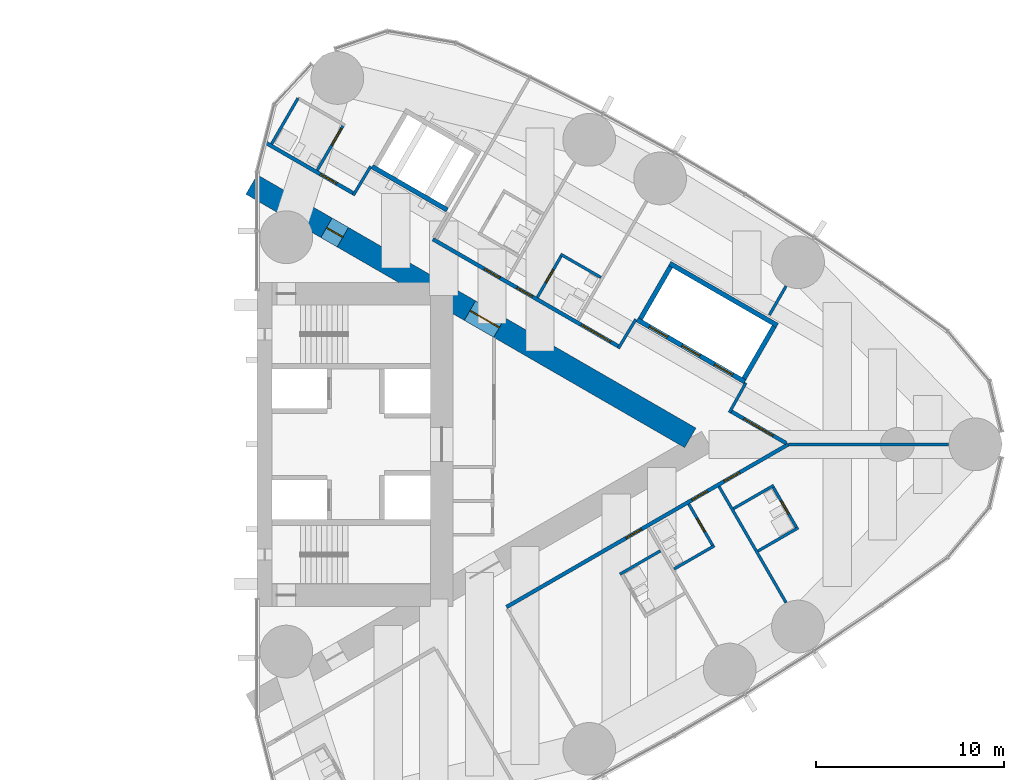
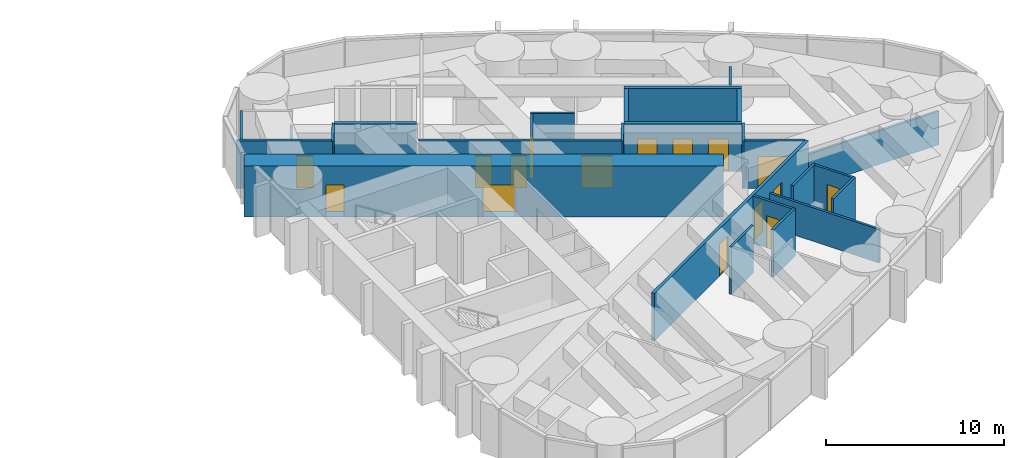
# One storey, part 15 of 19: 26 walls, 17 doors, 17 openings.
"""IFC4 building model written with IfcOpenShell, lengths in metres."""

from ifc_helpers import new_model, si_unit, direction, frame, frame_2d, origin, place, context, subcontext, project, spatial, rectangle, extrude, material, layer, layer_set, type_object, element, fill, save


model = new_model("IFC4")

# Units and contexts
model_context = context("Model", 3, precision=1e-05, world=origin(), true_north=direction((0.0, 1.0)))
body_context = subcontext(model_context, "Body", "Model", "MODEL_VIEW")
ifc_project = project(units=[si_unit("LENGTHUNIT", "METRE"), si_unit("AREAUNIT", "SQUARE_METRE"), si_unit("VOLUMEUNIT", "CUBIC_METRE"), si_unit("PLANEANGLEUNIT", "RADIAN"), si_unit("MASSUNIT", "GRAM", prefix="KILO")], contexts=[model_context])

# Site, building, storey
site_placement = place(None, origin())
site = spatial("IfcSite", under=ifc_project, at=site_placement, CompositionType="ELEMENT")
building_placement = place(site_placement, origin())
building = spatial("IfcBuilding", under=site, at=building_placement, Name="Lancet Gate Hotel", CompositionType="ELEMENT")
storey_placement = place(building_placement, frame((0.0, 0.0, 159.800048828125)))
storey = spatial("IfcBuildingStorey", under=building, at=storey_placement, Name="L42", CompositionType="ELEMENT", Elevation=159.800048828125)

# Walls
ifc_material_1 = material(Name="Moisture resistant board partition")
ifc_layer_1 = layer(ifc_material_1, 0.14990234375)
ifc_layer_set_1 = layer_set([ifc_layer_1], Name="Bathroom wall 150")
wall_type_1 = type_object("IfcWallType", Name="Bathroom wall 150", PredefinedType="PARTITIONING", material=ifc_layer_set_1)
for number, where, z_axis, x_axis, name in (
    (1, (46.766357421875, -6.89111328125, 0.0), (0.0, 0.0, 1.0), (0.86604923931, 0.499958713387, 0.0), "T2 bathroom wall 150 L42"),
    (2, (49.6396484375, -6.617919921875, 0.0), (0.0, 0.0, 1.0), (0.866006523861, 0.500032699561, 0.0), "T2 bathroom wall 150 L42"),
):
    element("IfcWall", number, at=place(storey_placement, frame(where, z_axis=z_axis, x_axis=x_axis)), inside=storey, type_object=wall_type_1, Name=name, PredefinedType="PARTITIONING", context=body_context, shape_type="SweptSolid", body=[
        extrude(rectangle(XDim=2.474853515625, YDim=0.14990234375, at=frame_2d((1.2373046875, 0.0))), origin(), (0.0, 0.0, 1.0), 3.25),
    ])

# Wall, opening, door
wall_1_placement = place(storey_placement, frame((50.418212890625, -3.166259765625, 0.0), z_axis=(0.0, 0.0, 1.0), x_axis=(0.499936506574, -0.866062058628, 0.0)))
wall_1 = element("IfcWall", 3, at=wall_1_placement, inside=storey, type_object=wall_type_1, Name="T2 bathroom wall 150 L42", PredefinedType="PARTITIONING", context=body_context, shape_type="SweptSolid", body=[
    extrude(rectangle(XDim=2.599853515625, YDim=0.14990234375, at=frame_2d((1.2998046875, 0.0))), origin(), (0.0, 0.0, 1.0), 3.25),
])
opening_1_placement = place(wall_1_placement, frame((0.89990234375, 0.0, 0.0)))
opening_1 = element("IfcOpeningElement", 4, at=opening_1_placement, cuts=wall_1, Name="Opening 4256-B", PredefinedType="OPENING", context=body_context, shape_type="SweptSolid", body=[
    extrude(rectangle(XDim=0.800048828125, YDim=2.199951171875, at=frame_2d((0.39990234375, 1.10009765625))), frame((0.0, 0.0849609375, 0.0), z_axis=(0.0, -1.0, 0.0), x_axis=(1.0, 0.0, 0.0)), (0.0, 0.0, 1.0), 0.169921875),
])
ifc_material_2 = material(Name="Timber door set", Category="wood")
door_type_1 = type_object("IfcDoorType", Name="Bathroom door 800", OperationType="SINGLE_SWING_RIGHT", PredefinedType="DOOR", material=ifc_material_2)
door_1_placement = place(opening_1_placement, origin())
door_1 = element("IfcDoor", 5, at=door_1_placement, inside=storey, type_object=door_type_1, Name="4256-B", OperationType="SINGLE_SWING_RIGHT", OverallHeight=2.199951171875, OverallWidth=0.800048828125, PredefinedType="DOOR", context=body_context, shape_type="SweptSolid", body=[
    extrude(rectangle(XDim=0.800048828125, YDim=2.199951171875, at=frame_2d((0.39990234375, 1.10009765625))), frame((0.0, 0.02490234375, 0.0), z_axis=(0.0, -1.0, 0.0), x_axis=(1.0, 0.0, 0.0)), (0.0, 0.0, 1.0), 0.050048828125),
])
fill(opening_1, door_1)

# Wall
wall_2_placement = place(storey_placement, frame((54.09033203125, -5.6650390625, 0.0), z_axis=(0.0, 0.0, 1.0), x_axis=(0.866006523861, 0.500032699561, 0.0)))
element("IfcWall", 6, at=wall_2_placement, inside=storey, type_object=wall_type_1, Name="T2 bathroom wall 150 L42", PredefinedType="PARTITIONING", context=body_context, shape_type="SweptSolid", body=[
    extrude(rectangle(XDim=2.474853515625, YDim=0.14990234375, at=frame_2d((1.2373046875, 0.0))), origin(), (0.0, 0.0, 1.0), 3.25),
])

# Wall, opening, door
wall_3_placement = place(storey_placement, frame((54.86865234375, -2.21337890625, 0.0), z_axis=(0.0, 0.0, 1.0), x_axis=(0.500047596559, -0.865997922154, 0.0)))
wall_3 = element("IfcWall", 7, at=wall_3_placement, inside=storey, type_object=wall_type_1, Name="T2 bathroom wall 150 L42", PredefinedType="PARTITIONING", context=body_context, shape_type="SweptSolid", body=[
    extrude(rectangle(XDim=2.599853515625, YDim=0.14990234375, at=frame_2d((1.2998046875, 0.0))), origin(), (0.0, 0.0, 1.0), 3.25),
])
opening_2_placement = place(wall_3_placement, frame((0.89990234375, 0.0, 0.0)))
opening_2 = element("IfcOpeningElement", 8, at=opening_2_placement, cuts=wall_3, Name="Opening 4257-B", PredefinedType="OPENING", context=body_context, shape_type="SweptSolid", body=[
    extrude(rectangle(XDim=0.800048828125, YDim=2.199951171875, at=frame_2d((0.39990234375, 1.10009765625))), frame((0.0, 0.0849609375, 0.0), z_axis=(0.0, -1.0, 0.0), x_axis=(1.0, 0.0, 0.0)), (0.0, 0.0, 1.0), 0.169921875),
])
door_2_placement = place(opening_2_placement, origin())
door_2 = element("IfcDoor", 9, at=door_2_placement, inside=storey, type_object=door_type_1, Name="4257-B", OperationType="SINGLE_SWING_RIGHT", OverallHeight=2.199951171875, OverallWidth=0.800048828125, PredefinedType="DOOR", context=body_context, shape_type="SweptSolid", body=[
    extrude(rectangle(XDim=0.800048828125, YDim=2.199951171875, at=frame_2d((0.39990234375, 1.10009765625))), frame((0.0, 0.02490234375, 0.0), z_axis=(0.0, -1.0, 0.0), x_axis=(1.0, 0.0, 0.0)), (0.0, 0.0, 1.0), 0.050048828125),
])
fill(opening_2, door_2)

# Walls
wall_4_placement = place(storey_placement, frame((52.790283203125, -3.413330078125, 0.0), z_axis=(0.0, 0.0, 1.0), x_axis=(0.866006523861, 0.500032699561, 0.0)))
element("IfcWall", 10, at=wall_4_placement, inside=storey, type_object=wall_type_1, Name="T2 bathroom wall 150 L42", PredefinedType="PARTITIONING", context=body_context, shape_type="SweptSolid", body=[
    extrude(rectangle(XDim=2.474853515625, YDim=0.14990234375, at=frame_2d((1.2373046875, 0.0))), origin(), (0.0, 0.0, 1.0), 3.25),
])
wall_5_placement = place(storey_placement, frame((43.613037109375, 10.097412109375, 0.0), z_axis=(0.0, 0.0, 1.0), x_axis=(0.866031185235, -0.4999899861, 0.0)))
element("IfcWall", 11, at=wall_5_placement, inside=storey, type_object=wall_type_1, Name="T2 bathroom wall 150 L42", PredefinedType="PARTITIONING", context=body_context, shape_type="SweptSolid", body=[
    extrude(rectangle(XDim=2.47509765625, YDim=0.14990234375, at=frame_2d((1.237548828125, 0.0))), origin(), (0.0, 0.0, 1.0), 3.25),
])

# Wall, opening, door
wall_6_placement = place(storey_placement, frame((42.3779296875, 7.80810546875, 0.0), z_axis=(0.0, 0.0, 1.0), x_axis=(0.500006934395, 0.866021400173, 0.0)))
wall_6 = element("IfcWall", 12, at=wall_6_placement, inside=storey, type_object=wall_type_1, Name="T2 bathroom wall 150 L42", PredefinedType="PARTITIONING", context=body_context, shape_type="SweptSolid", body=[
    extrude(rectangle(XDim=2.60009765625, YDim=0.14990234375, at=frame_2d((1.300048828125, 0.0))), origin(), (0.0, 0.0, 1.0), 3.25),
])
opening_3_placement = place(wall_6_placement, frame((0.89990234375, 0.0, 0.0)))
opening_3 = element("IfcOpeningElement", 13, at=opening_3_placement, cuts=wall_6, Name="Opening 4261-B", PredefinedType="OPENING", context=body_context, shape_type="SweptSolid", body=[
    extrude(rectangle(XDim=0.800048828125, YDim=2.199951171875, at=frame_2d((0.39990234375, 1.10009765625))), frame((0.0, 0.0849609375, 0.0), z_axis=(0.0, -1.0, 0.0), x_axis=(1.0, 0.0, 0.0)), (0.0, 0.0, 1.0), 0.169921875),
])
door_3_placement = place(opening_3_placement, origin())
door_3 = element("IfcDoor", 14, at=door_3_placement, inside=storey, type_object=door_type_1, Name="4261-B", OperationType="SINGLE_SWING_RIGHT", OverallHeight=2.199951171875, OverallWidth=0.800048828125, PredefinedType="DOOR", context=body_context, shape_type="SweptSolid", body=[
    extrude(rectangle(XDim=0.800048828125, YDim=2.199951171875, at=frame_2d((0.39990234375, 1.10009765625))), frame((0.0, 0.02490234375, 0.0), z_axis=(0.0, -1.0, 0.0), x_axis=(1.0, 0.0, 0.0)), (0.0, 0.0, 1.0), 0.050048828125),
])
fill(opening_3, door_3)

wall_7_placement = place(storey_placement, frame((30.694091796875, 14.553955078125, 0.0), z_axis=(0.0, 0.0, 1.0), x_axis=(0.500049511043, 0.865996816683, 0.0)))
wall_7 = element("IfcWall", 15, at=wall_7_placement, inside=storey, type_object=wall_type_1, Name="T2 bathroom wall 150 L42", PredefinedType="PARTITIONING", context=body_context, shape_type="SweptSolid", body=[
    extrude(rectangle(XDim=2.800048828125, YDim=0.14990234375, at=frame_2d((1.39990234375, 0.0))), origin(), (0.0, 0.0, 1.0), 2.300048828125),
])
opening_4_placement = place(wall_7_placement, frame((1.550048828125, 0.0, 0.0)))
opening_4 = element("IfcOpeningElement", 16, at=opening_4_placement, cuts=wall_7, Name="Opening 4263-B", PredefinedType="OPENING", context=body_context, shape_type="SweptSolid", body=[
    extrude(rectangle(XDim=1.0, YDim=2.199951171875, at=frame_2d((0.5, 1.10009765625))), frame((0.0, 0.0849609375, 0.0), z_axis=(0.0, -1.0, 0.0), x_axis=(1.0, 0.0, 0.0)), (0.0, 0.0, 1.0), 0.169921875),
])
ifc_material_3 = material(Name="Timber door set", Category="wood")
door_type_2 = type_object("IfcDoorType", Name="Accessible en-suite door 1000", OperationType="SINGLE_SWING_RIGHT", PredefinedType="DOOR", material=ifc_material_3)
door_4_placement = place(opening_4_placement, origin())
door_4 = element("IfcDoor", 17, at=door_4_placement, inside=storey, type_object=door_type_2, Name="4263-B", OperationType="SINGLE_SWING_RIGHT", OverallHeight=2.199951171875, OverallWidth=1.0, PredefinedType="DOOR", context=body_context, shape_type="SweptSolid", body=[
    extrude(rectangle(XDim=1.0, YDim=2.199951171875, at=frame_2d((0.5, 1.10009765625))), frame((0.0, 0.02490234375, 0.0), z_axis=(0.0, -1.0, 0.0), x_axis=(1.0, 0.0, 0.0)), (0.0, 0.0, 1.0), 0.050048828125),
])
fill(opening_4, door_4)

# Wall
wall_8_placement = place(storey_placement, frame((28.269287109375, 15.953857421875, 0.0), z_axis=(0.0, 0.0, 1.0), x_axis=(0.49998411664, 0.866034573852, 0.0)))
element("IfcWall", 18, at=wall_8_placement, inside=storey, type_object=wall_type_1, Name="T2 bathroom wall 150 L42", PredefinedType="PARTITIONING", context=body_context, shape_type="SweptSolid", body=[
    extrude(rectangle(XDim=2.7998046875, YDim=0.14990234375, at=frame_2d((1.39990234375, 0.0))), origin(), (0.0, 0.0, 1.0), 3.25),
])

# Wall, openings, doors
ifc_material_4 = material(Name="Concrete C70/85", Category="concrete")
ifc_layer_2 = layer(ifc_material_4, 1.199951171875)
ifc_layer_set_2 = layer_set([ifc_layer_2], Name="Buttress wall 1200")
wall_type_2 = type_object("IfcWallType", Name="Buttress wall 1200", PredefinedType="SHEAR", material=ifc_layer_set_2)
wall_9_placement = place(storey_placement, frame((27.199951171875, 13.800048828125, 0.0), z_axis=(0.0, 0.0, 1.0), x_axis=(0.866024515034, -0.500001539357, 0.0)))
wall_9 = element("IfcWall", 19, at=wall_9_placement, inside=storey, type_object=wall_type_2, Name="T2 buttress wall N L42", PredefinedType="SHEAR", context=body_context, shape_type="SweptSolid", body=[
    extrude(rectangle(XDim=26.9072265625, YDim=1.199951171875, at=frame_2d((13.45361328125, 0.0))), origin(), (0.0, 0.0, 1.0), 3.5),
])
opening_5_placement = place(wall_9_placement, frame((4.60009765625, 0.0, 0.0)))
opening_5 = element("IfcOpeningElement", 20, at=opening_5_placement, cuts=wall_9, Name="Opening T2-L42-LN", PredefinedType="OPENING", context=body_context, shape_type="SweptSolid", body=[
    extrude(rectangle(XDim=1.0, YDim=2.199951171875, at=frame_2d((0.5, 1.10009765625))), frame((0.0, 0.60986328125, 0.0), z_axis=(0.0, -1.0, 0.0), x_axis=(1.0, 0.0, 0.0)), (0.0, 0.0, 1.0), 1.219970703125),
])
opening_6_placement = place(wall_9_placement, frame((13.39453125, 0.0, 0.0)))
opening_6 = element("IfcOpeningElement", 21, at=opening_6_placement, cuts=wall_9, Name="Opening T2-L42-LHN", PredefinedType="OPENING", context=body_context, shape_type="SweptSolid", body=[
    extrude(rectangle(XDim=1.800048828125, YDim=2.199951171875, at=frame_2d((0.89990234375, 1.10009765625))), frame((0.0, 0.60986328125, 0.0), z_axis=(0.0, -1.0, 0.0), x_axis=(1.0, 0.0, 0.0)), (0.0, 0.0, 1.0), 1.219970703125),
])
ifc_material_5 = material(Name="Timber door set", Category="wood")
door_type_3 = type_object("IfcDoorType", Name="Lobby double door 1800", OperationType="DOUBLE_DOOR_SINGLE_SWING", PredefinedType="DOOR", material=ifc_material_5)
door_5_placement = place(opening_6_placement, origin())
door_5 = element("IfcDoor", 22, at=door_5_placement, inside=storey, type_object=door_type_3, Name="T2-L42-LHN", OperationType="DOUBLE_DOOR_SINGLE_SWING", OverallHeight=2.199951171875, OverallWidth=1.800048828125, PredefinedType="DOOR", context=body_context, shape_type="SweptSolid", body=[
    extrude(rectangle(XDim=1.800048828125, YDim=2.199951171875, at=frame_2d((0.89990234375, 1.10009765625))), frame((0.0, 0.02490234375, 0.0), z_axis=(0.0, -1.0, 0.0), x_axis=(1.0, 0.0, 0.0)), (0.0, 0.0, 1.0), 0.050048828125),
])
fill(opening_6, door_5)
ifc_material_6 = material(Name="Timber door set", Category="wood")
door_type_4 = type_object("IfcDoorType", Name="Stair lobby door 1000", OperationType="SINGLE_SWING_LEFT", PredefinedType="DOOR", material=ifc_material_6)
door_6_placement = place(opening_5_placement, origin())
door_6 = element("IfcDoor", 23, at=door_6_placement, inside=storey, type_object=door_type_4, Name="T2-L42-LN", OperationType="SINGLE_SWING_LEFT", OverallHeight=2.199951171875, OverallWidth=1.0, PredefinedType="DOOR", context=body_context, shape_type="SweptSolid", body=[
    extrude(rectangle(XDim=1.0, YDim=2.199951171875, at=frame_2d((0.5, 1.10009765625))), frame((0.0, 0.02490234375, 0.0), z_axis=(0.0, -1.0, 0.0), x_axis=(1.0, 0.0, 0.0)), (0.0, 0.0, 1.0), 0.050048828125),
])
fill(opening_5, door_6)

# Wall, opening, door
ifc_material_7 = material(Name="Gypsum board partition")
ifc_layer_3 = layer(ifc_material_7, 0.199951171875)
ifc_layer_set_3 = layer_set([ifc_layer_3], Name="Corridor wall 200")
wall_type_3 = type_object("IfcWallType", Name="Corridor wall 200", PredefinedType="PARTITIONING", material=ifc_layer_set_3)
wall_10_placement = place(storey_placement, frame((27.95947265625, 16.017333984375, 0.0), z_axis=(0.0, 0.0, 1.0), x_axis=(0.866028444157, -0.499994733882, 0.0)))
wall_10 = element("IfcWall", 24, at=wall_10_placement, inside=storey, type_object=wall_type_3, Name="T2 corridor wall 200 L42", PredefinedType="PARTITIONING", context=body_context, shape_type="SweptSolid", body=[
    extrude(rectangle(XDim=5.4072265625, YDim=0.199951171875, at=frame_2d((2.70361328125, 0.0))), origin(), (0.0, 0.0, 1.0), 3.25),
])
opening_7_placement = place(wall_10_placement, frame((3.35009765625, 0.0, 0.0)))
opening_7 = element("IfcOpeningElement", 25, at=opening_7_placement, cuts=wall_10, Name="Opening 4263-E", PredefinedType="OPENING", context=body_context, shape_type="SweptSolid", body=[
    extrude(rectangle(XDim=1.0, YDim=2.199951171875, at=frame_2d((0.5, 1.10009765625))), frame((0.0, 0.10986328125, 0.0), z_axis=(0.0, -1.0, 0.0), x_axis=(1.0, 0.0, 0.0)), (0.0, 0.0, 1.0), 0.219970703125),
])
ifc_material_8 = material(Name="Timber door set", Category="wood")
door_type_5 = type_object("IfcDoorType", Name="Accessible guest room door 1000", OperationType="SINGLE_SWING_LEFT", PredefinedType="DOOR", material=ifc_material_8)
door_7_placement = place(opening_7_placement, origin())
door_7 = element("IfcDoor", 26, at=door_7_placement, inside=storey, type_object=door_type_5, Name="4263-E", OperationType="SINGLE_SWING_LEFT", OverallHeight=2.199951171875, OverallWidth=1.0, PredefinedType="DOOR", context=body_context, shape_type="SweptSolid", body=[
    extrude(rectangle(XDim=1.0, YDim=2.199951171875, at=frame_2d((0.5, 1.10009765625))), frame((0.0, 0.02490234375, 0.0), z_axis=(0.0, -1.0, 0.0), x_axis=(1.0, 0.0, 0.0)), (0.0, 0.0, 1.0), 0.050048828125),
])
fill(opening_7, door_7)

# Wall, openings, doors
wall_11_placement = place(storey_placement, frame((36.833984375, 10.8935546875, 0.0), z_axis=(0.0, 0.0, 1.0), x_axis=(0.866031655879, -0.499989170898, 0.0)))
wall_11 = element("IfcWall", 27, at=wall_11_placement, inside=storey, type_object=wall_type_3, Name="T2 corridor wall 200 L42", PredefinedType="PARTITIONING", context=body_context, shape_type="SweptSolid", body=[
    extrude(rectangle(XDim=11.409912109375, YDim=0.199951171875, at=frame_2d((5.705078125, 0.0))), origin(), (0.0, 0.0, 1.0), 3.25),
])
opening_8_placement = place(wall_11_placement, frame((5.143798828125, 0.0, 0.0)))
opening_8 = element("IfcOpeningElement", 28, at=opening_8_placement, cuts=wall_11, Name="Opening 4261-E", PredefinedType="OPENING", context=body_context, shape_type="SweptSolid", body=[
    extrude(rectangle(XDim=0.949951171875, YDim=2.199951171875, at=frame_2d((0.47509765625, 1.10009765625))), frame((0.0, 0.10986328125, 0.0), z_axis=(0.0, -1.0, 0.0), x_axis=(1.0, 0.0, 0.0)), (0.0, 0.0, 1.0), 0.219970703125),
])
opening_9_placement = place(wall_11_placement, frame((3.161376953125, 0.0, 0.0)))
opening_9 = element("IfcOpeningElement", 29, at=opening_9_placement, cuts=wall_11, Name="Opening 4262-E", PredefinedType="OPENING", context=body_context, shape_type="SweptSolid", body=[
    extrude(rectangle(XDim=0.949951171875, YDim=2.199951171875, at=frame_2d((0.47509765625, 1.10009765625))), frame((0.0, 0.10986328125, 0.0), z_axis=(0.0, -1.0, 0.0), x_axis=(1.0, 0.0, 0.0)), (0.0, 0.0, 1.0), 0.219970703125),
])
opening_10_placement = place(wall_11_placement, frame((9.101806640625, 0.0, 0.0)))
opening_10 = element("IfcOpeningElement", 30, at=opening_10_placement, cuts=wall_11, Name="Opening T2-L42-LO2", PredefinedType="OPENING", context=body_context, shape_type="SweptSolid", body=[
    extrude(rectangle(XDim=1.800048828125, YDim=2.199951171875, at=frame_2d((0.89990234375, 1.10009765625))), frame((0.0, 0.10986328125, 0.0), z_axis=(0.0, -1.0, 0.0), x_axis=(1.0, 0.0, 0.0)), (0.0, 0.0, 1.0), 0.219970703125),
])
ifc_material_9 = material(Name="Timber door set", Category="wood")
door_type_6 = type_object("IfcDoorType", Name="Double door 1800", OperationType="DOUBLE_DOOR_SINGLE_SWING", PredefinedType="DOOR", material=ifc_material_9)
door_8_placement = place(opening_10_placement, origin())
door_8 = element("IfcDoor", 31, at=door_8_placement, inside=storey, type_object=door_type_6, Name="T2-L42-LO2", OperationType="DOUBLE_DOOR_SINGLE_SWING", OverallHeight=2.199951171875, OverallWidth=1.800048828125, PredefinedType="DOOR", context=body_context, shape_type="SweptSolid", body=[
    extrude(rectangle(XDim=1.800048828125, YDim=2.199951171875, at=frame_2d((0.89990234375, 1.10009765625))), frame((0.0, 0.02490234375, 0.0), z_axis=(0.0, -1.0, 0.0), x_axis=(1.0, 0.0, 0.0)), (0.0, 0.0, 1.0), 0.050048828125),
])
fill(opening_10, door_8)
ifc_material_10 = material(Name="Timber door set", Category="wood")
door_type_7 = type_object("IfcDoorType", Name="Guest room entry door 950", OperationType="SINGLE_SWING_LEFT", PredefinedType="DOOR", material=ifc_material_10)
door_9_placement = place(opening_8_placement, origin())
door_9 = element("IfcDoor", 32, at=door_9_placement, inside=storey, type_object=door_type_7, Name="4261-E", OperationType="SINGLE_SWING_LEFT", OverallHeight=2.199951171875, OverallWidth=0.949951171875, PredefinedType="DOOR", context=body_context, shape_type="SweptSolid", body=[
    extrude(rectangle(XDim=0.949951171875, YDim=2.199951171875, at=frame_2d((0.47509765625, 1.10009765625))), frame((0.0, 0.02490234375, 0.0), z_axis=(0.0, -1.0, 0.0), x_axis=(1.0, 0.0, 0.0)), (0.0, 0.0, 1.0), 0.050048828125),
])
fill(opening_8, door_9)
door_10_placement = place(opening_9_placement, origin())
door_10 = element("IfcDoor", 33, at=door_10_placement, inside=storey, type_object=door_type_7, Name="4262-E", OperationType="SINGLE_SWING_LEFT", OverallHeight=2.199951171875, OverallWidth=0.949951171875, PredefinedType="DOOR", context=body_context, shape_type="SweptSolid", body=[
    extrude(rectangle(XDim=0.949951171875, YDim=2.199951171875, at=frame_2d((0.47509765625, 1.10009765625))), frame((0.0, 0.02490234375, 0.0), z_axis=(0.0, -1.0, 0.0), x_axis=(1.0, 0.0, 0.0)), (0.0, 0.0, 1.0), 0.050048828125),
])
fill(opening_9, door_10)

# Wall, opening, door
wall_12_placement = place(storey_placement, frame((52.63916015625, 1.7685546875, 0.0), z_axis=(0.0, 0.0, 1.0), x_axis=(0.866027340901, -0.4999966448, 0.0)))
wall_12 = element("IfcWall", 34, at=wall_12_placement, inside=storey, type_object=wall_type_3, Name="T2 corridor wall 200 L42", PredefinedType="PARTITIONING", context=body_context, shape_type="SweptSolid", body=[
    extrude(rectangle(XDim=3.4169921875, YDim=0.199951171875, at=frame_2d((1.70849609375, 0.0))), origin(), (0.0, 0.0, 1.0), 3.25),
])
opening_11_placement = place(wall_12_placement, frame((0.80859375, 0.0, 0.0)))
opening_11 = element("IfcOpeningElement", 35, at=opening_11_placement, cuts=wall_12, Name="Opening T2-L42-LO1", PredefinedType="OPENING", context=body_context, shape_type="SweptSolid", body=[
    extrude(rectangle(XDim=1.800048828125, YDim=2.199951171875, at=frame_2d((0.89990234375, 1.10009765625))), frame((0.0, 0.10986328125, 0.0), z_axis=(0.0, -1.0, 0.0), x_axis=(1.0, 0.0, 0.0)), (0.0, 0.0, 1.0), 0.219970703125),
])
door_11_placement = place(opening_11_placement, origin())
door_11 = element("IfcDoor", 36, at=door_11_placement, inside=storey, type_object=door_type_6, Name="T2-L42-LO1", OperationType="DOUBLE_DOOR_SINGLE_SWING", OverallHeight=2.199951171875, OverallWidth=1.800048828125, PredefinedType="DOOR", context=body_context, shape_type="SweptSolid", body=[
    extrude(rectangle(XDim=1.800048828125, YDim=2.199951171875, at=frame_2d((0.89990234375, 1.10009765625))), frame((0.0, 0.02490234375, 0.0), z_axis=(0.0, -1.0, 0.0), x_axis=(1.0, 0.0, 0.0)), (0.0, 0.0, 1.0), 0.050048828125),
])
fill(opening_11, door_11)

# Wall, openings, doors
wall_13_placement = place(storey_placement, frame((40.740966796875, -8.637939453125, 0.0), z_axis=(0.0, 0.0, 1.0), x_axis=(0.866022967338, 0.500004220025, 0.0)))
wall_13 = element("IfcWall", 37, at=wall_13_placement, inside=storey, type_object=wall_type_3, Name="T2 corridor wall 200 L42", PredefinedType="PARTITIONING", context=body_context, shape_type="SweptSolid", body=[
    extrude(rectangle(XDim=17.275634765625, YDim=0.199951171875, at=frame_2d((8.6376953125, 0.0))), origin(), (0.0, 0.0, 1.0), 3.25),
])
opening_12_placement = place(wall_13_placement, frame((7.31640625, 0.0, 0.0)))
opening_12 = element("IfcOpeningElement", 38, at=opening_12_placement, cuts=wall_13, Name="Opening 4254-E", PredefinedType="OPENING", context=body_context, shape_type="SweptSolid", body=[
    extrude(rectangle(XDim=0.949951171875, YDim=2.199951171875, at=frame_2d((0.47509765625, 1.10009765625))), frame((0.0, 0.10986328125, 0.0), z_axis=(0.0, -1.0, 0.0), x_axis=(1.0, 0.0, 0.0)), (0.0, 0.0, 1.0), 0.219970703125),
])
opening_13_placement = place(wall_13_placement, frame((11.366455078125, 0.0, 0.0)))
opening_13 = element("IfcOpeningElement", 39, at=opening_13_placement, cuts=wall_13, Name="Opening 4256-E", PredefinedType="OPENING", context=body_context, shape_type="SweptSolid", body=[
    extrude(rectangle(XDim=0.949951171875, YDim=2.199951171875, at=frame_2d((0.47509765625, 1.10009765625))), frame((0.0, 0.10986328125, 0.0), z_axis=(0.0, -1.0, 0.0), x_axis=(1.0, 0.0, 0.0)), (0.0, 0.0, 1.0), 0.219970703125),
])
opening_14_placement = place(wall_13_placement, frame((13.34716796875, 0.0, 0.0)))
opening_14 = element("IfcOpeningElement", 40, at=opening_14_placement, cuts=wall_13, Name="Opening 4257-E", PredefinedType="OPENING", context=body_context, shape_type="SweptSolid", body=[
    extrude(rectangle(XDim=0.949951171875, YDim=2.199951171875, at=frame_2d((0.47509765625, 1.10009765625))), frame((0.0, 0.10986328125, 0.0), z_axis=(0.0, -1.0, 0.0), x_axis=(1.0, 0.0, 0.0)), (0.0, 0.0, 1.0), 0.219970703125),
])
door_12_placement = place(opening_12_placement, origin())
door_12 = element("IfcDoor", 41, at=door_12_placement, inside=storey, type_object=door_type_7, Name="4254-E", OperationType="SINGLE_SWING_LEFT", OverallHeight=2.199951171875, OverallWidth=0.949951171875, PredefinedType="DOOR", context=body_context, shape_type="SweptSolid", body=[
    extrude(rectangle(XDim=0.949951171875, YDim=2.199951171875, at=frame_2d((0.47509765625, 1.10009765625))), frame((0.0, 0.02490234375, 0.0), z_axis=(0.0, -1.0, 0.0), x_axis=(1.0, 0.0, 0.0)), (0.0, 0.0, 1.0), 0.050048828125),
])
fill(opening_12, door_12)
door_13_placement = place(opening_13_placement, origin())
door_13 = element("IfcDoor", 42, at=door_13_placement, inside=storey, type_object=door_type_7, Name="4256-E", OperationType="SINGLE_SWING_LEFT", OverallHeight=2.199951171875, OverallWidth=0.949951171875, PredefinedType="DOOR", context=body_context, shape_type="SweptSolid", body=[
    extrude(rectangle(XDim=0.949951171875, YDim=2.199951171875, at=frame_2d((0.47509765625, 1.10009765625))), frame((0.0, 0.02490234375, 0.0), z_axis=(0.0, -1.0, 0.0), x_axis=(1.0, 0.0, 0.0)), (0.0, 0.0, 1.0), 0.050048828125),
])
fill(opening_13, door_13)
door_14_placement = place(opening_14_placement, origin())
door_14 = element("IfcDoor", 43, at=door_14_placement, inside=storey, type_object=door_type_7, Name="4257-E", OperationType="SINGLE_SWING_LEFT", OverallHeight=2.199951171875, OverallWidth=0.949951171875, PredefinedType="DOOR", context=body_context, shape_type="SweptSolid", body=[
    extrude(rectangle(XDim=0.949951171875, YDim=2.199951171875, at=frame_2d((0.47509765625, 1.10009765625))), frame((0.0, 0.02490234375, 0.0), z_axis=(0.0, -1.0, 0.0), x_axis=(1.0, 0.0, 0.0)), (0.0, 0.0, 1.0), 0.050048828125),
])
fill(opening_14, door_14)

# Wall
ifc_material_11 = material(Name="Gypsum board partition")
ifc_layer_4 = layer(ifc_material_11, 0.25)
ifc_layer_set_4 = layer_set([ifc_layer_4], Name="Lift shaft partition 250")
wall_type_4 = type_object("IfcWallType", Name="Lift shaft partition 250", PredefinedType="PARTITIONING", material=ifc_layer_set_4)
wall_14_placement = place(storey_placement, frame((33.6083984375, 14.747314453125, 0.0), z_axis=(0.0, 0.0, 1.0), x_axis=(0.866043305498, -0.49996899204, 0.0)))
element("IfcWall", 44, at=wall_14_placement, inside=storey, type_object=wall_type_4, Name="T2 lift shaft wall EX L42", PredefinedType="PARTITIONING", context=body_context, shape_type="SweptSolid", body=[
    extrude(rectangle(XDim=4.600341796875, YDim=0.25, at=frame_2d((2.30029296875, 0.0))), origin(), (0.0, 0.0, 1.0), 3.25),
])

# Wall, openings, doors
wall_15_placement = place(storey_placement, frame((47.681396484375, 6.622314453125, 0.0), z_axis=(0.0, 0.0, 1.0), x_axis=(0.86603344179, -0.499986077507, 0.0)))
wall_15 = element("IfcWall", 45, at=wall_15_placement, inside=storey, type_object=wall_type_4, Name="T2 lift shaft wall HL L42", PredefinedType="PARTITIONING", context=body_context, shape_type="SweptSolid", body=[
    extrude(rectangle(XDim=6.600341796875, YDim=0.25, at=frame_2d((3.30029296875, 0.0))), origin(), (0.0, 0.0, 1.0), 3.25),
])
opening_15_placement = place(wall_15_placement, frame((0.75, 0.0, 0.0)))
opening_15 = element("IfcOpeningElement", 46, at=opening_15_placement, cuts=wall_15, Name="Opening T2-HL1-L42", PredefinedType="OPENING", context=body_context, shape_type="SweptSolid", body=[
    extrude(rectangle(XDim=1.10009765625, YDim=2.199951171875, at=frame_2d((0.550048828125, 1.10009765625))), frame((0.0, 0.135009765625, 0.0), z_axis=(0.0, -1.0, 0.0), x_axis=(1.0, 0.0, 0.0)), (0.0, 0.0, 1.0), 0.27001953125),
])
opening_16_placement = place(wall_15_placement, frame((2.75, 0.0, 0.0)))
opening_16 = element("IfcOpeningElement", 47, at=opening_16_placement, cuts=wall_15, Name="Opening T2-HL2-L42", PredefinedType="OPENING", context=body_context, shape_type="SweptSolid", body=[
    extrude(rectangle(XDim=1.10009765625, YDim=2.199951171875, at=frame_2d((0.550048828125, 1.10009765625))), frame((0.0, 0.135009765625, 0.0), z_axis=(0.0, -1.0, 0.0), x_axis=(1.0, 0.0, 0.0)), (0.0, 0.0, 1.0), 0.27001953125),
])
opening_17_placement = place(wall_15_placement, frame((4.75, 0.0, 0.0)))
opening_17 = element("IfcOpeningElement", 48, at=opening_17_placement, cuts=wall_15, Name="Opening T2-HL3-L42", PredefinedType="OPENING", context=body_context, shape_type="SweptSolid", body=[
    extrude(rectangle(XDim=1.10009765625, YDim=2.199951171875, at=frame_2d((0.550048828125, 1.10009765625))), frame((0.0, 0.135009765625, 0.0), z_axis=(0.0, -1.0, 0.0), x_axis=(1.0, 0.0, 0.0)), (0.0, 0.0, 1.0), 0.27001953125),
])
ifc_material_12 = material(Name="Steel door set", Category="steel")
door_type_8 = type_object("IfcDoorType", Name="Lift landing door 1100", OperationType="DOUBLE_DOOR_SLIDING", PredefinedType="USERDEFINED", material=ifc_material_12)
door_15_placement = place(opening_15_placement, origin())
door_15 = element("IfcDoor", 49, at=door_15_placement, inside=storey, type_object=door_type_8, Name="T2-HL1-L42", ObjectType="LIFT LANDING DOOR", OperationType="DOUBLE_DOOR_SLIDING", OverallHeight=2.199951171875, OverallWidth=1.10009765625, PredefinedType="USERDEFINED", context=body_context, shape_type="SweptSolid", body=[
    extrude(rectangle(XDim=1.10009765625, YDim=2.199951171875, at=frame_2d((0.550048828125, 1.10009765625))), frame((0.0, 0.02490234375, 0.0), z_axis=(0.0, -1.0, 0.0), x_axis=(1.0, 0.0, 0.0)), (0.0, 0.0, 1.0), 0.050048828125),
])
fill(opening_15, door_15)
door_16_placement = place(opening_16_placement, origin())
door_16 = element("IfcDoor", 50, at=door_16_placement, inside=storey, type_object=door_type_8, Name="T2-HL2-L42", ObjectType="LIFT LANDING DOOR", OperationType="DOUBLE_DOOR_SLIDING", OverallHeight=2.199951171875, OverallWidth=1.10009765625, PredefinedType="USERDEFINED", context=body_context, shape_type="SweptSolid", body=[
    extrude(rectangle(XDim=1.10009765625, YDim=2.199951171875, at=frame_2d((0.550048828125, 1.10009765625))), frame((0.0, 0.02490234375, 0.0), z_axis=(0.0, -1.0, 0.0), x_axis=(1.0, 0.0, 0.0)), (0.0, 0.0, 1.0), 0.050048828125),
])
fill(opening_16, door_16)
door_17_placement = place(opening_17_placement, origin())
door_17 = element("IfcDoor", 51, at=door_17_placement, inside=storey, type_object=door_type_8, Name="T2-HL3-L42", ObjectType="LIFT LANDING DOOR", OperationType="DOUBLE_DOOR_SLIDING", OverallHeight=2.199951171875, OverallWidth=1.10009765625, PredefinedType="USERDEFINED", context=body_context, shape_type="SweptSolid", body=[
    extrude(rectangle(XDim=1.10009765625, YDim=2.199951171875, at=frame_2d((0.550048828125, 1.10009765625))), frame((0.0, 0.02490234375, 0.0), z_axis=(0.0, -1.0, 0.0), x_axis=(1.0, 0.0, 0.0)), (0.0, 0.0, 1.0), 0.050048828125),
])
fill(opening_17, door_17)

# Walls
wall_16_placement = place(storey_placement, frame((49.406494140625, 9.61083984375, 0.0), z_axis=(0.0, 0.0, 1.0), x_axis=(0.86603344179, -0.499986077507, 0.0)))
element("IfcWall", 52, at=wall_16_placement, inside=storey, type_object=wall_type_4, Name="T2 lift shaft wall HL L42", PredefinedType="PARTITIONING", context=body_context, shape_type="SweptSolid", body=[
    extrude(rectangle(XDim=6.600341796875, YDim=0.25, at=frame_2d((3.30029296875, 0.0))), origin(), (0.0, 0.0, 1.0), 3.25),
])
wall_17_placement = place(storey_placement, frame((47.852294921875, 6.66796875, 0.0), z_axis=(0.0, 0.0, 1.0), x_axis=(0.499929347863, 0.866066190972, 0.0)))
element("IfcWall", 53, at=wall_17_placement, inside=storey, type_object=wall_type_4, Name="T2 lift shaft wall HL L42", PredefinedType="PARTITIONING", context=body_context, shape_type="SweptSolid", body=[
    extrude(rectangle(XDim=3.20068359375, YDim=0.25, at=frame_2d((1.600341796875, 0.0))), origin(), (0.0, 0.0, 1.0), 3.25),
])
wall_18_placement = place(storey_placement, frame((53.351806640625, 3.492919921875, 0.0), z_axis=(0.0, 0.0, 1.0), x_axis=(0.499872130319, 0.866099216793, 0.0)))
element("IfcWall", 54, at=wall_18_placement, inside=storey, type_object=wall_type_4, Name="T2 lift shaft wall HL L42", PredefinedType="PARTITIONING", context=body_context, shape_type="SweptSolid", body=[
    extrude(rectangle(XDim=3.200439453125, YDim=0.25, at=frame_2d((1.60009765625, 0.0))), origin(), (0.0, 0.0, 1.0), 3.25),
])
ifc_material_13 = material(Name="Gypsum board partition")
ifc_layer_5 = layer(ifc_material_13, 0.14990234375)
ifc_layer_set_5 = layer_set([ifc_layer_5], Name="Party wall 150")
wall_type_5 = type_object("IfcWallType", Name="Party wall 150", PredefinedType="PARTITIONING", material=ifc_layer_set_5)
wall_19_placement = place(storey_placement, frame((52.025390625, -2.23828125, 0.0), z_axis=(0.0, 0.0, 1.0), x_axis=(0.499983785035, -0.866034765296, 0.0)))
element("IfcWall", 55, at=wall_19_placement, inside=storey, type_object=wall_type_5, Name="T2 party wall 150 L42", PredefinedType="PARTITIONING", context=body_context, shape_type="SweptSolid", body=[
    extrude(rectangle(XDim=7.116455078125, YDim=0.14990234375, at=frame_2d((3.55810546875, 0.0))), origin(), (0.0, 0.0, 1.0), 2.300048828125),
])
wall_20_placement = place(storey_placement, frame((55.7021484375, 0.0, 0.0), z_axis=(0.0, 0.0, 1.0), x_axis=(1.0, 0.0, 0.0)))
element("IfcWall", 56, at=wall_20_placement, inside=storey, type_object=wall_type_5, Name="T2 party wall 150 L42", PredefinedType="PARTITIONING", context=body_context, shape_type="SweptSolid", body=[
    extrude(rectangle(XDim=8.517578125, YDim=0.14990234375, at=frame_2d((4.2587890625, 0.0))), origin(), (0.0, 0.0, 1.0), 2.300048828125),
])
wall_21_placement = place(storey_placement, frame((54.700439453125, 6.871826171875, 0.0), z_axis=(0.0, 0.0, 1.0), x_axis=(0.499989690894, 0.866031355668, 0.0)))
element("IfcWall", 57, at=wall_21_placement, inside=storey, type_object=wall_type_5, Name="T2 party wall 150 L42", PredefinedType="PARTITIONING", context=body_context, shape_type="SweptSolid", body=[
    extrude(rectangle(XDim=1.76611328125, YDim=0.14990234375, at=frame_2d((0.883056640625, 0.0))), origin(), (0.0, 0.0, 1.0), 3.25),
])
ifc_material_14 = material(Name="Gypsum board partition")
ifc_layer_6 = layer(ifc_material_14, 0.14990234375)
ifc_layer_set_6 = layer_set([ifc_layer_6], Name="Service room wall 150")
wall_type_6 = type_object("IfcWallType", Name="Service room wall 150", PredefinedType="PARTITIONING", material=ifc_layer_set_6)
wall_22_placement = place(storey_placement, frame((33.533447265625, 14.767333984375, 0.0), z_axis=(0.0, 0.0, 1.0), x_axis=(-0.514296815006, -0.857612258585, 0.0)))
element("IfcWall", 58, at=wall_22_placement, inside=storey, type_object=wall_type_6, Name="T2 service room wall 150 L42", PredefinedType="PARTITIONING", context=body_context, shape_type="SweptSolid", body=[
    extrude(rectangle(XDim=1.804931640625, YDim=0.14990234375, at=frame_2d((0.90234375, 0.0))), origin(), (0.0, 0.0, 1.0), 3.25),
])
wall_23_placement = place(storey_placement, frame((52.576171875, 1.689453125, 0.0), z_axis=(0.0, 0.0, 1.0), x_axis=(0.485424724123, 0.874278466629, 0.0)))
element("IfcWall", 59, at=wall_23_placement, inside=storey, type_object=wall_type_6, Name="T2 service room wall 150 L42", PredefinedType="PARTITIONING", context=body_context, shape_type="SweptSolid", body=[
    extrude(rectangle(XDim=1.80517578125, YDim=0.14990234375, at=frame_2d((0.902587890625, 0.0))), origin(), (0.0, 0.0, 1.0), 3.25),
])
wall_24_placement = place(storey_placement, frame((47.6064453125, 6.642578125, 0.0), z_axis=(0.0, 0.0, 1.0), x_axis=(-0.514237157483, -0.857648031458, 0.0)))
element("IfcWall", 60, at=wall_24_placement, inside=storey, type_object=wall_type_6, Name="T2 service room wall 150 L42", PredefinedType="PARTITIONING", context=body_context, shape_type="SweptSolid", body=[
    extrude(rectangle(XDim=1.804931640625, YDim=0.14990234375, at=frame_2d((0.90234375, 0.0))), origin(), (0.0, 0.0, 1.0), 3.25),
])

save(model, "model.ifc")
